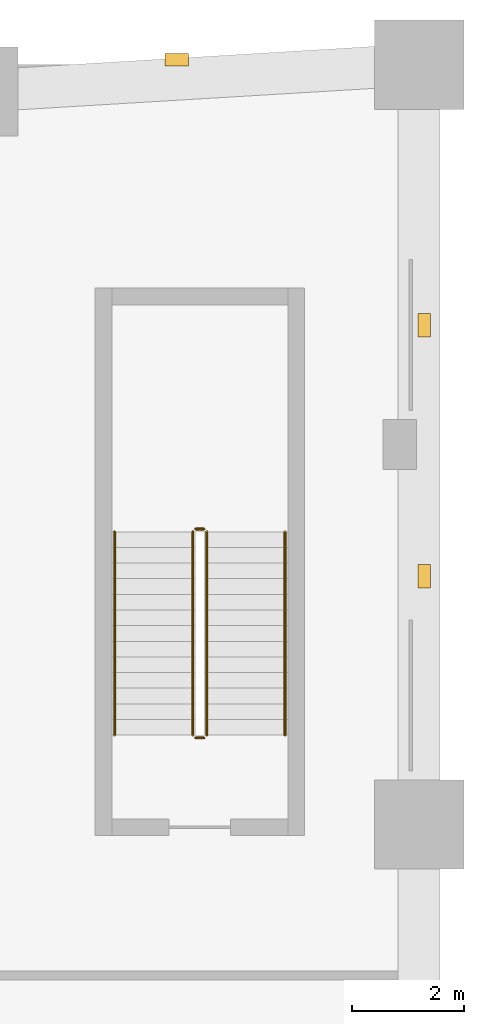
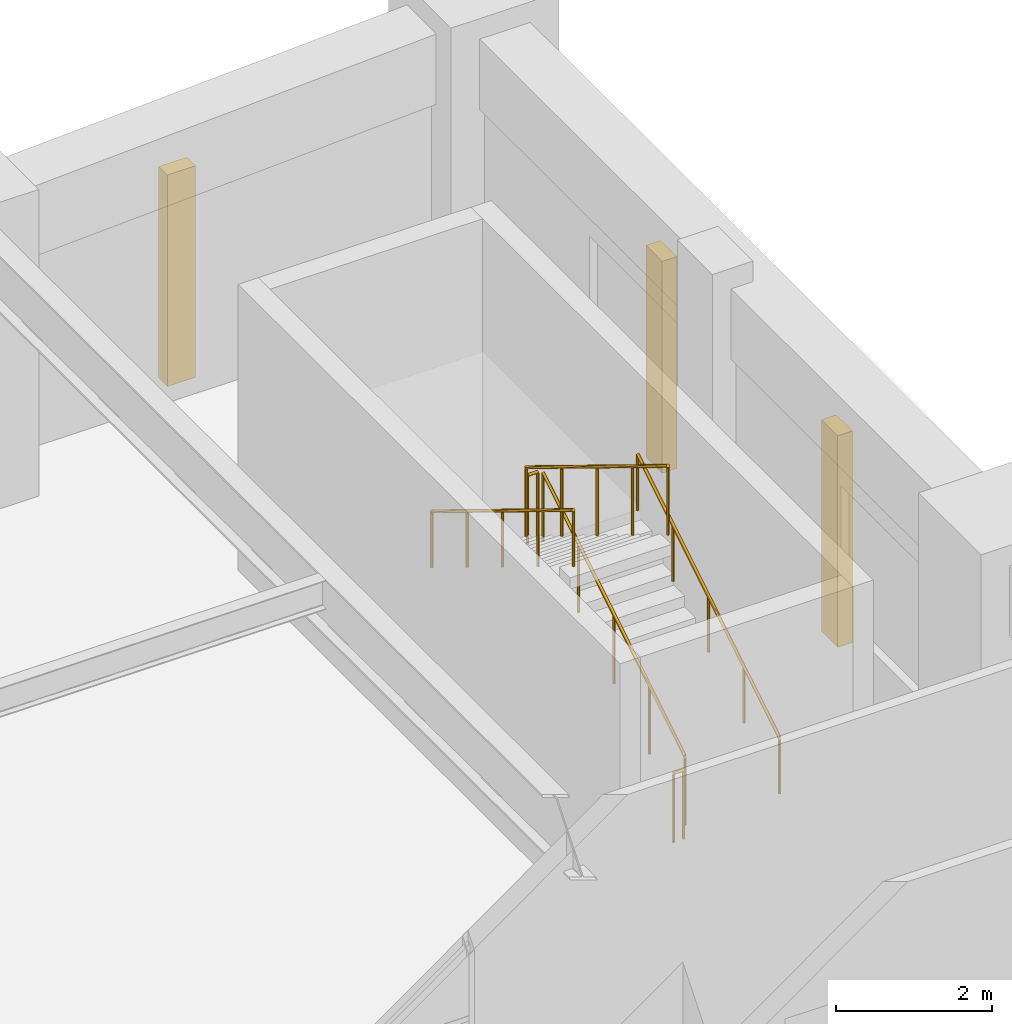
# One storey, part 13 of 13: 6 railings, 3 coverings.
"""IFC4 building model written with IfcOpenShell, lengths in metres."""

from ifc_helpers import new_model, si_unit, derived_unit, direction, frame, origin, origin_2d, place, context, subcontext, project, spatial, rectangle, circle, extrude, material, layer, layer_set, type_object, element, save


model = new_model("IFC4")

# Units and contexts
model_context = context("Model", 3, precision=1e-05, world=origin(), true_north=direction((0.0, 1.0)))
body_context = subcontext(model_context, "Body", "Model", "MODEL_VIEW")
ifc_project = project(units=[si_unit("LENGTHUNIT", "METRE"), si_unit("AREAUNIT", "SQUARE_METRE"), si_unit("VOLUMEUNIT", "CUBIC_METRE"), si_unit("PLANEANGLEUNIT", "RADIAN"), si_unit("MASSUNIT", "GRAM", prefix="KILO"), derived_unit("THERMALTRANSMITTANCEUNIT", [(si_unit("MASSUNIT", "GRAM", prefix="KILO"), 1), (si_unit("TIMEUNIT", "SECOND"), -3), (si_unit("THERMODYNAMICTEMPERATUREUNIT", "KELVIN"), -1)])], contexts=[model_context])

# Site, building, storey
site_placement = place(None, origin())
site = spatial("IfcSite", under=ifc_project, at=site_placement, CompositionType="ELEMENT")
building_placement = place(site_placement, origin())
building = spatial("IfcBuilding", under=site, at=building_placement, Name="Korrvale Station Residences", CompositionType="ELEMENT")
storey_placement = place(building_placement, frame((0.0, 0.0, 11.199951171875)))
storey = spatial("IfcBuildingStorey", under=building, at=storey_placement, Name="L02", CompositionType="ELEMENT", Elevation=11.199951171875)

# Coverings
ifc_material_1 = material(Name="Architectural precast concrete C45/55", Category="concrete")
ifc_layer = layer(ifc_material_1, 0.219970703125, Name="Architectural precast concrete C45/55")
ifc_layer_set = layer_set([ifc_layer], Name="Architectural precast concrete C45/55")
covering_type = type_object("IfcCoveringType", Name="COV-PIER-400", PredefinedType="CLADDING", material=ifc_layer_set)
for number, where, z_axis, x_axis, name in (
    (1, (49.659912109375, 47.68994140625, 0.025146484375), (0.0, 0.0, 1.0), (1.0, 0.0, 0.0), "L02 Architectural Precast Facade Pier 12"),
    (2, (54.090087890625, 42.93994140625, 0.025146484375), (0.0, 0.0, 1.0), (0.0, 1.0, 0.0), "L02 Architectural Precast Facade Pier 18"),
    (3, (54.090087890625, 38.43994140625, 0.025146484375), (0.0, 0.0, 1.0), (0.0, 1.0, 0.0), "L02 Architectural Precast Facade Pier 19"),
):
    element("IfcCovering", number, at=place(storey_placement, frame(where, z_axis=z_axis, x_axis=x_axis)), inside=storey, type_object=covering_type, Name=name, PredefinedType="CLADDING", context=body_context, shape_type="SweptSolid", body=[
        extrude(rectangle(XDim=0.419921875, YDim=0.219970703125, at=origin_2d()), origin(), (0.0, 0.0, 1.0), 3.31494140625),
    ])

# Railings
ifc_material_2 = material(Name="Brushed stainless-steel continuous stair handrail", Category="steel")
railing_type_1 = type_object("IfcRailingType", Name="RLG-SHND-900", PredefinedType="HANDRAIL", material=ifc_material_2)
railing_1_placement = place(storey_placement, frame((51.60009765625, 35.60009765625, 0.17138671875)))
element("IfcRailing", 4, at=railing_1_placement, inside=storey, type_object=railing_type_1, Name="L02 ST-4 stair handrail 1", PredefinedType="HANDRAIL", context=body_context, shape_type="SweptSolid", body=[
    extrude(circle(Radius=0.02392578125, at=origin_2d()), frame((0.0, 0.0, 0.8759765625), z_axis=(0.0, 0.852824790078, 0.522197163366), x_axis=(-1.0, 0.0, 0.0)), (0.0, 0.0, 1.0), 4.26806640625),
    extrude(circle(Radius=0.02099609375, at=origin_2d()), origin(), (0.0, 0.0, 1.0), 0.851806640625),
    extrude(circle(Radius=0.02099609375, at=origin_2d()), frame((0.0, 0.909912109375, 0.55712890625)), (0.0, 0.0, 1.0), 0.851806640625),
    extrude(circle(Radius=0.02099609375, at=origin_2d()), frame((0.0, 1.81982421875, 1.1142578125)), (0.0, 0.0, 1.0), 0.851806640625),
    extrude(circle(Radius=0.02099609375, at=origin_2d()), frame((0.0, 2.72998046875, 1.671630859375)), (0.0, 0.0, 1.0), 0.851806640625),
    extrude(circle(Radius=0.02099609375, at=origin_2d()), frame((0.0, 3.639892578125, 2.228759765625)), (0.0, 0.0, 1.0), 0.851806640625),
])
railing_2_placement = place(storey_placement, frame((48.550048828125, 39.239990234375, 2.571533203125)))
element("IfcRailing", 5, at=railing_2_placement, inside=storey, type_object=railing_type_1, Name="L02 ST-4 stair handrail 2", PredefinedType="HANDRAIL", context=body_context, shape_type="SweptSolid", body=[
    extrude(circle(Radius=0.02392578125, at=origin_2d()), frame((0.0, 0.0, 0.8759765625), z_axis=(0.0, -0.852850264322, 0.5221555579), x_axis=(1.0, 0.0, 0.0)), (0.0, 0.0, 1.0), 4.267822265625),
    extrude(circle(Radius=0.02099609375, at=origin_2d()), origin(), (0.0, 0.0, 1.0), 0.851806640625),
    extrude(circle(Radius=0.02099609375, at=origin_2d()), frame((0.0, -0.909912109375, 0.55712890625)), (0.0, 0.0, 1.0), 0.851806640625),
    extrude(circle(Radius=0.02099609375, at=origin_2d()), frame((0.0, -1.81982421875, 1.1142578125)), (0.0, 0.0, 1.0), 0.851806640625),
    extrude(circle(Radius=0.02099609375, at=origin_2d()), frame((0.0, -2.72998046875, 1.67138671875)), (0.0, 0.0, 1.0), 0.851806640625),
    extrude(circle(Radius=0.02099609375, at=origin_2d()), frame((0.0, -3.639892578125, 2.228515625)), (0.0, 0.0, 1.0), 0.851806640625),
])
ifc_material_3 = material(Name="Galvanised painted tubular steel stair guard", Category="steel")
railing_type_2 = type_object("IfcRailingType", Name="RLG-STR-1100", PredefinedType="GUARDRAIL", material=ifc_material_3)
railing_3_placement = place(storey_placement, frame((50.199951171875, 35.60009765625, 0.17138671875)))
element("IfcRailing", 6, at=railing_3_placement, inside=storey, type_object=railing_type_2, Name="L02 ST-4 stair guard 1", PredefinedType="GUARDRAIL", context=body_context, shape_type="SweptSolid", body=[
    extrude(circle(Radius=0.02392578125, at=origin_2d()), frame((0.0, 0.0, 1.076171875), z_axis=(0.0, 0.852824790078, 0.522197163366), x_axis=(-1.0, 0.0, 0.0)), (0.0, 0.0, 1.0), 4.26806640625),
    extrude(circle(Radius=0.02099609375, at=origin_2d()), origin(), (0.0, 0.0, 1.0), 1.052001953125),
    extrude(circle(Radius=0.02099609375, at=origin_2d()), frame((0.0, 0.909912109375, 0.55712890625)), (0.0, 0.0, 1.0), 1.052001953125),
    extrude(circle(Radius=0.02099609375, at=origin_2d()), frame((0.0, 1.81982421875, 1.1142578125)), (0.0, 0.0, 1.0), 1.052001953125),
    extrude(circle(Radius=0.02099609375, at=origin_2d()), frame((0.0, 2.72998046875, 1.671630859375)), (0.0, 0.0, 1.0), 1.052001953125),
    extrude(circle(Radius=0.02099609375, at=origin_2d()), frame((0.0, 3.639892578125, 2.228759765625)), (0.0, 0.0, 1.0), 1.052001953125),
])
railing_4_placement = place(storey_placement, frame((50.14990234375, 39.2900390625, 2.400146484375)))
element("IfcRailing", 7, at=railing_4_placement, inside=storey, type_object=railing_type_2, Name="L02 ST-4 stair guard 2", PredefinedType="GUARDRAIL", context=body_context, shape_type="SweptSolid", body=[
    extrude(circle(Radius=0.02392578125, at=origin_2d()), frame((0.0, 0.0, 1.076171875), z_axis=(-1.0, 0.0, 0.0), x_axis=(0.0, -1.0, 0.0)), (0.0, 0.0, 1.0), 0.14990234375),
    extrude(circle(Radius=0.02099609375, at=origin_2d()), origin(), (0.0, 0.0, 1.0), 1.052001953125),
    extrude(circle(Radius=0.02099609375, at=origin_2d()), frame((-0.14990234375, 0.0, 0.0)), (0.0, 0.0, 1.0), 1.052001953125),
])
railing_5_placement = place(storey_placement, frame((49.949951171875, 39.239990234375, 2.571533203125)))
element("IfcRailing", 8, at=railing_5_placement, inside=storey, type_object=railing_type_2, Name="L02 ST-4 stair guard 3", PredefinedType="GUARDRAIL", context=body_context, shape_type="SweptSolid", body=[
    extrude(circle(Radius=0.02392578125, at=origin_2d()), frame((0.0, 0.0, 1.076171875), z_axis=(0.0, -0.852850264322, 0.5221555579), x_axis=(1.0, 0.0, 0.0)), (0.0, 0.0, 1.0), 4.267822265625),
    extrude(circle(Radius=0.02099609375, at=origin_2d()), origin(), (0.0, 0.0, 1.0), 1.052001953125),
    extrude(circle(Radius=0.02099609375, at=origin_2d()), frame((0.0, -0.909912109375, 0.55712890625)), (0.0, 0.0, 1.0), 1.052001953125),
    extrude(circle(Radius=0.02099609375, at=origin_2d()), frame((0.0, -1.81982421875, 1.1142578125)), (0.0, 0.0, 1.0), 1.052001953125),
    extrude(circle(Radius=0.02099609375, at=origin_2d()), frame((0.0, -2.72998046875, 1.67138671875)), (0.0, 0.0, 1.0), 1.052001953125),
    extrude(circle(Radius=0.02099609375, at=origin_2d()), frame((0.0, -3.639892578125, 2.228515625)), (0.0, 0.0, 1.0), 1.052001953125),
])
railing_6_placement = place(storey_placement, frame((50.14990234375, 35.550048828125, 0.0)))
element("IfcRailing", 9, at=railing_6_placement, inside=storey, type_object=railing_type_2, Name="L02 ST-4 stair guard 4", PredefinedType="GUARDRAIL", context=body_context, shape_type="SweptSolid", body=[
    extrude(circle(Radius=0.02392578125, at=origin_2d()), frame((0.0, 0.0, 1.076171875), z_axis=(-1.0, 0.0, 0.0), x_axis=(0.0, -1.0, 0.0)), (0.0, 0.0, 1.0), 0.14990234375),
    extrude(circle(Radius=0.02099609375, at=origin_2d()), origin(), (0.0, 0.0, 1.0), 1.052001953125),
    extrude(circle(Radius=0.02099609375, at=origin_2d()), frame((-0.14990234375, 0.0, 0.0)), (0.0, 0.0, 1.0), 1.052001953125),
])

save(model, "model.ifc")
